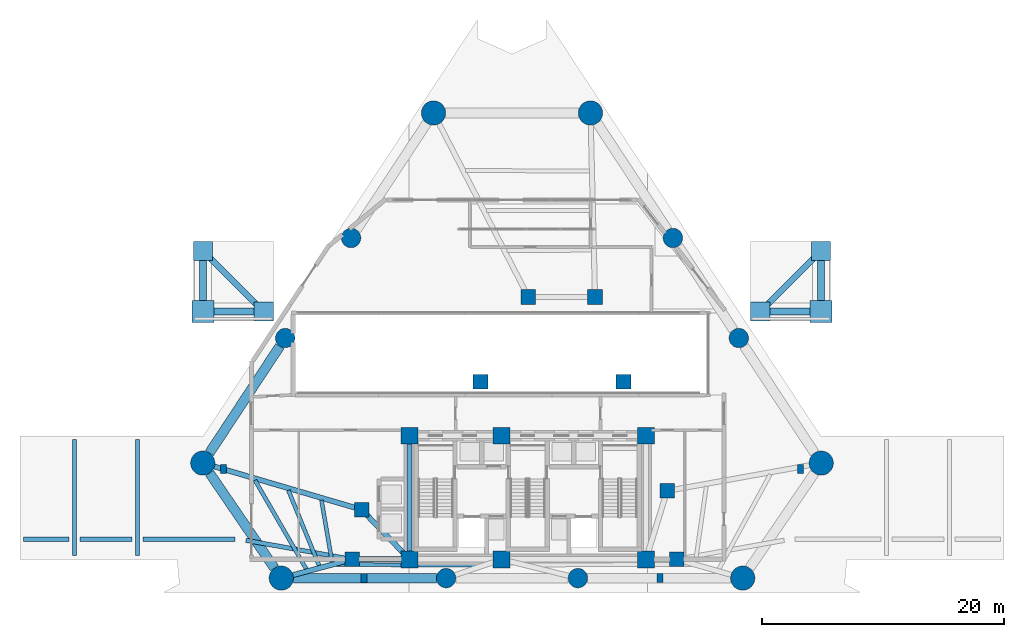
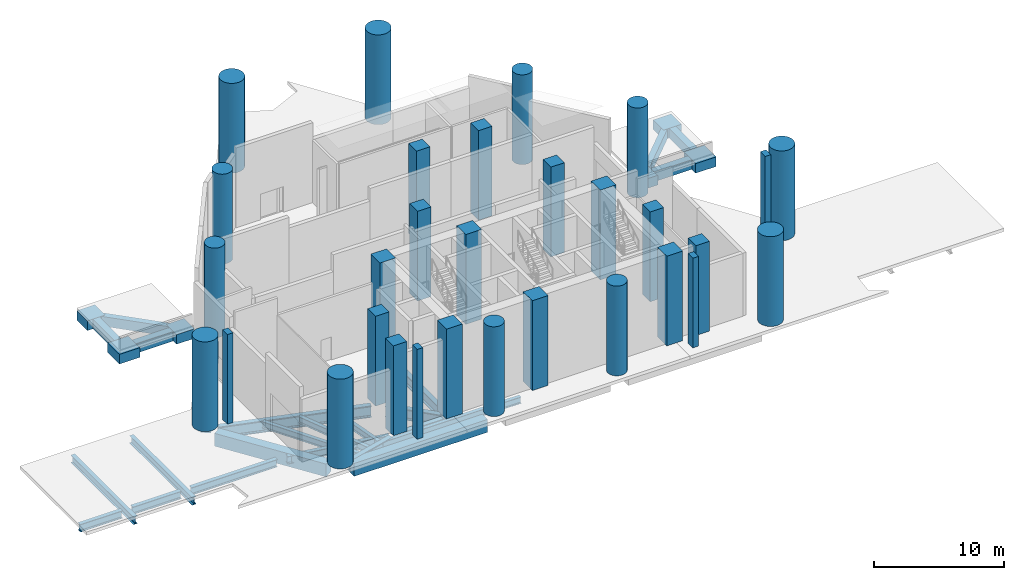
# One storey, part 1 of 12: 30 columns, 18 beams, 12 footings.
"""IFC4 building model written with IfcOpenShell, lengths in metres."""

from ifc_helpers import new_model, si_unit, direction, frame, origin, origin_2d, place, context, subcontext, project, spatial, polyline, rectangle, circle, i_section, outline, extrude, material, layer, layer_set, material_profile, profile_set, type_object, element, save


model = new_model("IFC4")

# Units and contexts
model_context = context("Model", 3, precision=1e-05, world=origin(), true_north=direction((0.0, 1.0)))
body_context = subcontext(model_context, "Body", "Model", "MODEL_VIEW")
ifc_project = project(units=[si_unit("LENGTHUNIT", "METRE"), si_unit("AREAUNIT", "SQUARE_METRE"), si_unit("VOLUMEUNIT", "CUBIC_METRE"), si_unit("PLANEANGLEUNIT", "RADIAN"), si_unit("MASSUNIT", "GRAM", prefix="KILO")], contexts=[model_context])

# Site, building, storey
site_placement = place(None, origin())
site = spatial("IfcSite", under=ifc_project, at=site_placement, CompositionType="ELEMENT")
building_placement = place(site_placement, origin())
building = spatial("IfcBuilding", under=site, at=building_placement, Name="Almagre Mirador Tower", CompositionType="ELEMENT")
storey_placement = place(building_placement, origin())
storey = spatial("IfcBuildingStorey", under=building, at=storey_placement, Name="L00", CompositionType="ELEMENT", Elevation=0.0)

# Footings
ifc_material_1 = material(Name="Concrete C50/60", Category="concrete")
footing_type_1 = type_object("IfcFootingType", Name="FTG-BEAM-500X800", PredefinedType="FOOTING_BEAM", material=ifc_material_1)
footing_1_placement = place(storey_placement, frame((0.0, 0.0, -1.10009765625)))
element("IfcFooting", 1, at=footing_1_placement, inside=storey, type_object=footing_type_1, Name="Plaza forecourt ground beam NW-3", PredefinedType="FOOTING_BEAM", context=body_context, shape_type="SweptSolid", body=[
    extrude(outline(polyline([(14.757568359375, 25.388916015625), (10.888916015625, 29.257568359375), (11.242431640625, 29.611083984375), (15.111083984375, 25.742431640625), (14.757568359375, 25.388916015625)])), origin(), (0.0, 0.0, 1.0), 0.900146484375),
])
footing_2_placement = place(storey_placement, frame((0.0, 0.0, -1.10009765625)))
element("IfcFooting", 2, at=footing_2_placement, inside=storey, type_object=footing_type_1, Name="Plaza forecourt ground beam NE-3", PredefinedType="FOOTING_BEAM", context=body_context, shape_type="SweptSolid", body=[
    extrude(outline(polyline([(56.888916015625, 25.742431640625), (60.757568359375, 29.611083984375), (61.111083984375, 29.257568359375), (57.242431640625, 25.388916015625), (56.888916015625, 25.742431640625)])), origin(), (0.0, 0.0, 1.0), 0.900146484375),
])
ifc_material_2 = material(Name="Concrete C50/60", Category="concrete")
footing_type_2 = type_object("IfcFootingType", Name="FTG-BEAM-600X900", PredefinedType="FOOTING_BEAM", material=ifc_material_2)
footing_3_placement = place(storey_placement, frame((0.0, 0.0, -1.10009765625)))
element("IfcFooting", 3, at=footing_3_placement, inside=storey, type_object=footing_type_2, Name="Plaza forecourt ground beam NW-1", PredefinedType="FOOTING_BEAM", context=body_context, shape_type="SweptSolid", body=[
    extrude(outline(polyline([(11.39990234375, 25.300048828125), (14.699951171875, 25.300048828125), (14.699951171875, 24.699951171875), (11.39990234375, 24.699951171875), (11.39990234375, 25.300048828125)])), origin(), (0.0, 0.0, 1.0), 0.900146484375),
])
footing_4_placement = place(storey_placement, frame((0.0, 0.0, -1.10009765625)))
element("IfcFooting", 4, at=footing_4_placement, inside=storey, type_object=footing_type_2, Name="Plaza forecourt ground beam NW-2", PredefinedType="FOOTING_BEAM", context=body_context, shape_type="SweptSolid", body=[
    extrude(outline(polyline([(10.199951171875, 25.89990234375), (10.199951171875, 29.199951171875), (10.800048828125, 29.199951171875), (10.800048828125, 25.89990234375), (10.199951171875, 25.89990234375)])), origin(), (0.0, 0.0, 1.0), 0.900146484375),
])
footing_5_placement = place(storey_placement, frame((0.0, 0.0, -1.10009765625)))
element("IfcFooting", 5, at=footing_5_placement, inside=storey, type_object=footing_type_2, Name="Plaza forecourt ground beam NE-1", PredefinedType="FOOTING_BEAM", context=body_context, shape_type="SweptSolid", body=[
    extrude(outline(polyline([(60.60009765625, 24.699951171875), (57.300048828125, 24.699951171875), (57.300048828125, 25.300048828125), (60.60009765625, 25.300048828125), (60.60009765625, 24.699951171875)])), origin(), (0.0, 0.0, 1.0), 0.900146484375),
])
footing_6_placement = place(storey_placement, frame((0.0, 0.0, -1.10009765625)))
element("IfcFooting", 6, at=footing_6_placement, inside=storey, type_object=footing_type_2, Name="Plaza forecourt ground beam NE-2", PredefinedType="FOOTING_BEAM", context=body_context, shape_type="SweptSolid", body=[
    extrude(outline(polyline([(61.199951171875, 25.89990234375), (61.199951171875, 29.199951171875), (61.800048828125, 29.199951171875), (61.800048828125, 25.89990234375), (61.199951171875, 25.89990234375)])), origin(), (0.0, 0.0, 1.0), 0.900146484375),
])
ifc_material_3 = material(Name="Concrete C50/60", Category="concrete")
ifc_layer_1 = layer(ifc_material_3, 0.89990234375)
ifc_layer_set_1 = layer_set([ifc_layer_1], Name="Concrete C50/60")
footing_type_3 = type_object("IfcFootingType", Name="FTG-PAD-1600", PredefinedType="PILE_CAP", material=ifc_layer_set_1)
footing_7_placement = place(storey_placement, frame((0.0, 0.0, -1.10009765625)))
element("IfcFooting", 7, at=footing_7_placement, inside=storey, type_object=footing_type_3, Name="Plaza forecourt pad footing NW-2", PredefinedType="PILE_CAP", context=body_context, shape_type="SweptSolid", body=[
    extrude(outline(polyline([(14.699951171875, 24.199951171875), (16.300048828125, 24.199951171875), (16.300048828125, 25.800048828125), (14.699951171875, 25.800048828125), (14.699951171875, 24.199951171875)])), origin(), (0.0, 0.0, 1.0), 0.900146484375),
])
footing_8_placement = place(storey_placement, frame((0.0, 0.0, -1.10009765625)))
element("IfcFooting", 8, at=footing_8_placement, inside=storey, type_object=footing_type_3, Name="Plaza forecourt pad footing NW-3", PredefinedType="PILE_CAP", context=body_context, shape_type="SweptSolid", body=[
    extrude(outline(polyline([(9.699951171875, 29.199951171875), (11.300048828125, 29.199951171875), (11.300048828125, 30.800048828125), (9.699951171875, 30.800048828125), (9.699951171875, 29.199951171875)])), origin(), (0.0, 0.0, 1.0), 0.900146484375),
])
footing_9_placement = place(storey_placement, frame((0.0, 0.0, -1.10009765625)))
element("IfcFooting", 9, at=footing_9_placement, inside=storey, type_object=footing_type_3, Name="Plaza forecourt pad footing NE-2", PredefinedType="PILE_CAP", context=body_context, shape_type="SweptSolid", body=[
    extrude(outline(polyline([(55.699951171875, 24.199951171875), (57.300048828125, 24.199951171875), (57.300048828125, 25.800048828125), (55.699951171875, 25.800048828125), (55.699951171875, 24.199951171875)])), origin(), (0.0, 0.0, 1.0), 0.900146484375),
])
footing_10_placement = place(storey_placement, frame((0.0, 0.0, -1.10009765625)))
element("IfcFooting", 10, at=footing_10_placement, inside=storey, type_object=footing_type_3, Name="Plaza forecourt pad footing NE-3", PredefinedType="PILE_CAP", context=body_context, shape_type="SweptSolid", body=[
    extrude(outline(polyline([(60.699951171875, 29.199951171875), (62.300048828125, 29.199951171875), (62.300048828125, 30.800048828125), (60.699951171875, 30.800048828125), (60.699951171875, 29.199951171875)])), origin(), (0.0, 0.0, 1.0), 0.900146484375),
])
ifc_material_4 = material(Name="Concrete C50/60", Category="concrete")
ifc_layer_2 = layer(ifc_material_4, 0.89990234375)
ifc_layer_set_2 = layer_set([ifc_layer_2], Name="Concrete C50/60")
footing_type_4 = type_object("IfcFootingType", Name="FTG-PAD-1800", PredefinedType="PILE_CAP", material=ifc_layer_set_2)
footing_11_placement = place(storey_placement, frame((0.0, 0.0, -1.10009765625)))
element("IfcFooting", 11, at=footing_11_placement, inside=storey, type_object=footing_type_4, Name="Plaza forecourt pad footing NW-1", PredefinedType="PILE_CAP", context=body_context, shape_type="SweptSolid", body=[
    extrude(outline(polyline([(9.60009765625, 24.10009765625), (11.39990234375, 24.10009765625), (11.39990234375, 25.89990234375), (9.60009765625, 25.89990234375), (9.60009765625, 24.10009765625)])), origin(), (0.0, 0.0, 1.0), 0.900146484375),
])
footing_12_placement = place(storey_placement, frame((0.0, 0.0, -1.10009765625)))
element("IfcFooting", 12, at=footing_12_placement, inside=storey, type_object=footing_type_4, Name="Plaza forecourt pad footing NE-1", PredefinedType="PILE_CAP", context=body_context, shape_type="SweptSolid", body=[
    extrude(outline(polyline([(60.60009765625, 24.10009765625), (62.39990234375, 24.10009765625), (62.39990234375, 25.89990234375), (60.60009765625, 25.89990234375), (60.60009765625, 24.10009765625)])), origin(), (0.0, 0.0, 1.0), 0.900146484375),
])

# Columns
ifc_material_5 = material(Name="Precast concrete C50/60", Category="concrete")
ifc_material_profile_1 = material_profile(ifc_material_5, rectangle(XDim=0.5, YDim=0.75, at=origin_2d()), Name="RC500X750")
ifc_profile_set_1 = profile_set([ifc_material_profile_1], Name="Precast concrete C50/60")
column_type_1 = type_object("IfcColumnType", Name="COL-PIL-500X750", PredefinedType="PILASTER", material=ifc_profile_set_1)
for number, where, z_axis, x_axis, name in (
    (13, (23.800048828125, 3.0, 0.0), (0.0, 0.0, 1.0), (1.0, 0.0, 0.0), "L00 expressed frame pilaster 01"),
    (14, (48.199951171875, 3.0, 0.0), (0.0, 0.0, 1.0), (1.0, 0.0, 0.0), "L00 expressed frame pilaster 02"),
    (15, (12.199951171875, 12.0, 0.0), (0.0, 0.0, 1.0), (1.0, 0.0, 0.0), "L00 expressed frame pilaster 03"),
    (16, (59.800048828125, 12.0, 0.0), (0.0, 0.0, 1.0), (1.0, 0.0, 0.0), "L00 expressed frame pilaster 04"),
):
    element("IfcColumn", number, at=place(storey_placement, frame(where, z_axis=z_axis, x_axis=x_axis)), inside=storey, type_object=column_type_1, Name=name, PredefinedType="PILASTER", context=body_context, shape_type="SweptSolid", body=[
        extrude(rectangle(XDim=0.5, YDim=0.75, at=origin_2d()), origin(), (0.0, 0.0, 1.0), 8.39990234375),
    ])
ifc_material_6 = material(Name="Concrete C60/75", Category="concrete")
ifc_material_profile_2 = material_profile(ifc_material_6, rectangle(XDim=1.199951171875, YDim=1.199951171875, at=origin_2d()), Name="RC1200X1200")
ifc_profile_set_2 = profile_set([ifc_material_profile_2], Name="Concrete C60/75")
column_type_2 = type_object("IfcColumnType", Name="COL-RC1200", PredefinedType="COLUMN", material=ifc_profile_set_2)
for number, where, z_axis, x_axis, name in (
    (17, (22.800048828125, 4.550048828125, 0.0), (0.0, 0.0, 1.0), (1.0, 0.0, 0.0), "L00 interior transfer column MC1"),
    (18, (49.60009765625, 4.550048828125, 0.0), (0.0, 0.0, 1.0), (1.0, 0.0, 0.0), "L00 interior transfer column MC2"),
    (19, (48.800048828125, 10.199951171875, 0.0), (0.0, 0.0, 1.0), (1.0, 0.0, 0.0), "L00 interior transfer column MC3"),
    (20, (45.199951171875, 19.199951171875, 0.0), (0.0, 0.0, 1.0), (1.0, 0.0, 0.0), "L00 interior transfer column MC5"),
    (21, (42.85009765625, 26.199951171875, 0.0), (0.0, 0.0, 1.0), (1.0, 0.0, 0.0), "L00 interior transfer column MC6"),
    (22, (37.35009765625, 26.199951171875, 0.0), (0.0, 0.0, 1.0), (1.0, 0.0, 0.0), "L00 interior transfer column MC7"),
    (23, (33.39990234375, 19.199951171875, 0.0), (0.0, 0.0, 1.0), (1.0, 0.0, 0.0), "L00 interior transfer column MC8"),
    (24, (23.60009765625, 8.64990234375, 0.0), (0.0, 0.0, 1.0), (1.0, 0.0, 0.0), "L00 interior transfer column MC10"),
):
    element("IfcColumn", number, at=place(storey_placement, frame(where, z_axis=z_axis, x_axis=x_axis)), inside=storey, type_object=column_type_2, Name=name, PredefinedType="COLUMN", context=body_context, shape_type="SweptSolid", body=[
        extrude(rectangle(XDim=1.199951171875, YDim=1.199951171875, at=origin_2d()), origin(), (0.0, 0.0, 1.0), 8.39990234375),
    ])
ifc_material_7 = material(Name="Concrete C60/75", Category="concrete")
ifc_material_profile_3 = material_profile(ifc_material_7, rectangle(XDim=1.39990234375, YDim=1.39990234375, at=origin_2d()), Name="RC1400X1400")
ifc_profile_set_3 = profile_set([ifc_material_profile_3], Name="Concrete C60/75")
column_type_3 = type_object("IfcColumnType", Name="COL-RC1400", PredefinedType="COLUMN", material=ifc_profile_set_3)
for number, where, z_axis, x_axis, name in (
    (25, (27.550048828125, 4.550048828125, 0.0), (0.0, 0.0, 1.0), (1.0, 0.0, 0.0), "L00 core spine column CC1"),
    (26, (35.14990234375, 4.550048828125, 0.0), (0.0, 0.0, 1.0), (1.0, 0.0, 0.0), "L00 core spine column CC2"),
    (27, (47.050048828125, 4.550048828125, 0.0), (0.0, 0.0, 1.0), (1.0, 0.0, 0.0), "L00 core spine column CC3"),
    (28, (27.550048828125, 14.75, 0.0), (0.0, 0.0, 1.0), (1.0, 0.0, 0.0), "L00 core spine column CC4"),
    (29, (35.14990234375, 14.75, 0.0), (0.0, 0.0, 1.0), (1.0, 0.0, 0.0), "L00 core spine column CC5"),
    (30, (47.050048828125, 14.75, 0.0), (0.0, 0.0, 1.0), (1.0, 0.0, 0.0), "L00 core spine column CC6"),
):
    element("IfcColumn", number, at=place(storey_placement, frame(where, z_axis=z_axis, x_axis=x_axis)), inside=storey, type_object=column_type_3, Name=name, PredefinedType="COLUMN", context=body_context, shape_type="SweptSolid", body=[
        extrude(rectangle(XDim=1.39990234375, YDim=1.39990234375, at=origin_2d()), origin(), (0.0, 0.0, 1.0), 8.39990234375),
    ])
ifc_material_8 = material(Name="Concrete C70/85", Category="concrete")
ifc_material_profile_4 = material_profile(ifc_material_8, circle(Radius=0.800048828125, at=origin_2d()), Name="RC1600D")
ifc_profile_set_4 = profile_set([ifc_material_profile_4], Name="Concrete C70/85")
column_type_4 = type_object("IfcColumnType", Name="COL-RC1600D", PredefinedType="COLUMN", material=ifc_profile_set_4)
for number, where, z_axis, x_axis, name in (
    (31, (30.56005859375, 3.0, 0.0), (0.0, 0.0, 1.0), (1.0, 0.0, 0.0), "L00 open stilt column PC02"),
    (32, (41.43994140625, 3.0, 0.0), (0.0, 0.0, 1.0), (1.0, 0.0, 0.0), "L00 open stilt column PC03"),
    (33, (54.718017578125, 22.81201171875, 0.0), (0.0, 0.0, 1.0), (1.0, 0.0, 0.0), "L00 open stilt column PC06"),
    (34, (49.278076171875, 31.068115234375, 0.0), (0.0, 0.0, 1.0), (1.0, 0.0, 0.0), "L00 open stilt column PC07"),
    (35, (22.721923828125, 31.068115234375, 0.0), (0.0, 0.0, 1.0), (1.0, 0.0, 0.0), "L00 open stilt column PC10"),
    (36, (17.281982421875, 22.81201171875, 0.0), (0.0, 0.0, 1.0), (1.0, 0.0, 0.0), "L00 open stilt column PC11"),
):
    element("IfcColumn", number, at=place(storey_placement, frame(where, z_axis=z_axis, x_axis=x_axis)), inside=storey, type_object=column_type_4, Name=name, PredefinedType="COLUMN", context=body_context, shape_type="SweptSolid", body=[
        extrude(circle(Radius=0.800048828125, at=origin_2d()), origin(), (0.0, 0.0, 1.0), 8.39990234375),
    ])
ifc_material_9 = material(Name="Concrete C70/85", Category="concrete")
ifc_material_profile_5 = material_profile(ifc_material_9, circle(Radius=1.0, at=origin_2d()), Name="RC2000D")
ifc_profile_set_5 = profile_set([ifc_material_profile_5], Name="Concrete C70/85")
column_type_5 = type_object("IfcColumnType", Name="COL-RC2000D", PredefinedType="COLUMN", material=ifc_profile_set_5)
for number, where, z_axis, x_axis, name in (
    (37, (16.9599609375, 3.0, 0.0), (0.0, 0.0, 1.0), (1.0, 0.0, 0.0), "L00 open stilt column PC01"),
    (38, (55.0400390625, 3.0, 0.0), (0.0, 0.0, 1.0), (1.0, 0.0, 0.0), "L00 open stilt column PC04"),
    (39, (61.51806640625, 12.491943359375, 0.0), (0.0, 0.0, 1.0), (1.0, 0.0, 0.0), "L00 open stilt column PC05"),
    (40, (42.47802734375, 41.387939453125, 0.0), (0.0, 0.0, 1.0), (1.0, 0.0, 0.0), "L00 open stilt column PC08"),
    (41, (29.52197265625, 41.387939453125, 0.0), (0.0, 0.0, 1.0), (1.0, 0.0, 0.0), "L00 open stilt column PC09"),
    (42, (10.48193359375, 12.491943359375, 0.0), (0.0, 0.0, 1.0), (1.0, 0.0, 0.0), "L00 open stilt column PC12"),
):
    element("IfcColumn", number, at=place(storey_placement, frame(where, z_axis=z_axis, x_axis=x_axis)), inside=storey, type_object=column_type_5, Name=name, PredefinedType="COLUMN", context=body_context, shape_type="SweptSolid", body=[
        extrude(circle(Radius=1.0, at=origin_2d()), origin(), (0.0, 0.0, 1.0), 8.39990234375),
    ])

# Beams
ifc_material_10 = material(Name="Steel ASTM A992 Grade 50", Category="steel")
ifc_material_profile_6 = material_profile(ifc_material_10, i_section(OverallWidth=0.323974609375, OverallDepth=0.611083984375, WebThickness=0.0126953125, FlangeThickness=0.01904296875, FilletRadius=0.02001953125, at=origin_2d()), Name="W24X104")
ifc_profile_set_6 = profile_set([ifc_material_profile_6], Name="Steel ASTM A992 Grade 50")
beam_type_1 = type_object("IfcBeamType", Name="BM-JST-W24X104", PredefinedType="JOIST", material=ifc_profile_set_6)
beam_1_placement = place(storey_placement, frame((21.401611328125, 4.12158203125, -0.60546875), z_axis=(0.999990956833, -0.004252793403, 0.0), x_axis=(0.004252793403, 0.999990956833, 0.0)))
element("IfcBeam", 43, at=beam_1_placement, inside=storey, type_object=beam_type_1, Name="L00 secondary floor joist PC01-PC02.3", PredefinedType="JOIST", context=body_context, shape_type="SweptSolid", body=[
    extrude(i_section(OverallWidth=0.323974609375, OverallDepth=0.611083984375, WebThickness=0.0126953125, FlangeThickness=0.01904296875, FilletRadius=0.02001953125, at=origin_2d()), origin(), (0.0, 0.0, 1.0), 12.11279296875),
])
beam_2_placement = place(storey_placement, frame((14.791015625, 11.077392578125, -0.60546875), z_axis=(0.500570588924, -0.865695723395, 0.0), x_axis=(0.865695723395, 0.500570588924, 0.0)))
element("IfcBeam", 44, at=beam_2_placement, inside=storey, type_object=beam_type_1, Name="L00 secondary floor joist PC12-PC01.1", PredefinedType="JOIST", context=body_context, shape_type="SweptSolid", body=[
    extrude(i_section(OverallWidth=0.323974609375, OverallDepth=0.611083984375, WebThickness=0.0126953125, FlangeThickness=0.01904296875, FilletRadius=0.02001953125, at=origin_2d()), origin(), (0.0, 0.0, 1.0), 8.45361328125),
])
beam_3_placement = place(storey_placement, frame((17.544921875, 10.25048828125, -0.60546875), z_axis=(0.378088150656, -0.925769598947, 0.0), x_axis=(0.925769598947, 0.378088150656, 0.0)))
element("IfcBeam", 45, at=beam_3_placement, inside=storey, type_object=beam_type_1, Name="L00 secondary floor joist PC12-PC01.2", PredefinedType="JOIST", context=body_context, shape_type="SweptSolid", body=[
    extrude(i_section(OverallWidth=0.323974609375, OverallDepth=0.611083984375, WebThickness=0.0126953125, FlangeThickness=0.01904296875, FilletRadius=0.02001953125, at=origin_2d()), origin(), (0.0, 0.0, 1.0), 6.70263671875),
])
beam_4_placement = place(storey_placement, frame((20.2802734375, 9.423828125, -0.60546875), z_axis=(0.169071360665, -0.985603812393, 0.0), x_axis=(0.985603812393, 0.169071360665, 0.0)))
element("IfcBeam", 46, at=beam_4_placement, inside=storey, type_object=beam_type_1, Name="L00 secondary floor joist PC12-PC01.3", PredefinedType="JOIST", context=body_context, shape_type="SweptSolid", body=[
    extrude(i_section(OverallWidth=0.323974609375, OverallDepth=0.611083984375, WebThickness=0.0126953125, FlangeThickness=0.01904296875, FilletRadius=0.02001953125, at=origin_2d()), origin(), (0.0, 0.0, 1.0), 5.166748046875),
])
ifc_material_11 = material(Name="Precast concrete C50/60", Category="concrete")
ifc_material_profile_7 = material_profile(ifc_material_11, rectangle(XDim=0.800048828125, YDim=1.199951171875, at=origin_2d()), Name="RC800X1200")
ifc_profile_set_7 = profile_set([ifc_material_profile_7], Name="Precast concrete C50/60")
beam_type_2 = type_object("IfcBeamType", Name="BM-SPN-RC800X1200", PredefinedType="SPANDREL", material=ifc_profile_set_7)
beam_5_placement = place(storey_placement, frame((17.9599609375, 3.0, -0.89990234375), z_axis=(1.0, 0.0, 0.0), x_axis=(0.0, 1.0, 0.0)))
element("IfcBeam", 47, at=beam_5_placement, inside=storey, type_object=beam_type_2, Name="L00 perimeter spandrel beam PC01-PC02", PredefinedType="SPANDREL", context=body_context, shape_type="SweptSolid", body=[
    extrude(rectangle(XDim=0.800048828125, YDim=1.199951171875, at=origin_2d()), origin(), (0.0, 0.0, 1.0), 11.800048828125),
])
beam_6_placement = place(storey_placement, frame((16.841796875, 22.14404296875, -0.89990234375), z_axis=(-0.550199423007, -0.835033289709, 0.0), x_axis=(0.835033289709, -0.550199423007, 0.0)))
element("IfcBeam", 48, at=beam_6_placement, inside=storey, type_object=beam_type_2, Name="L00 perimeter spandrel beam PC11-PC12", PredefinedType="SPANDREL", context=body_context, shape_type="SweptSolid", body=[
    extrude(rectangle(XDim=0.800048828125, YDim=1.199951171875, at=origin_2d()), origin(), (0.0, 0.0, 1.0), 10.55908203125),
])
beam_7_placement = place(storey_placement, frame((11.045654296875, 11.666015625, -0.89990234375), z_axis=(0.563701507362, -0.825978577566, 0.0), x_axis=(0.825978577566, 0.563701507362, 0.0)))
element("IfcBeam", 49, at=beam_7_placement, inside=storey, type_object=beam_type_2, Name="L00 perimeter spandrel beam PC12-PC01", PredefinedType="SPANDREL", context=body_context, shape_type="SweptSolid", body=[
    extrude(rectangle(XDim=0.800048828125, YDim=1.199951171875, at=origin_2d()), origin(), (0.0, 0.0, 1.0), 9.491943359375),
])
ifc_material_12 = material(Name="Steel ASTM A992 Grade 50", Category="steel")
ifc_material_profile_8 = material_profile(ifc_material_12, i_section(OverallWidth=0.35791015625, OverallDepth=0.7060546875, WebThickness=0.018310546875, FlangeThickness=0.0302734375, FilletRadius=0.02197265625, at=origin_2d()), Name="W27X178")
ifc_profile_set_8 = profile_set([ifc_material_profile_8], Name="Steel ASTM A992 Grade 50")
beam_type_3 = type_object("IfcBeamType", Name="BM-STL-W27X178", PredefinedType="BEAM", material=ifc_profile_set_8)
beam_8_placement = place(storey_placement, frame((-4.300048828125, 6.199951171875, -0.653076171875), z_axis=(1.0, 0.0, 0.0), x_axis=(0.0, 1.0, 0.0)))
element("IfcBeam", 50, at=beam_8_placement, inside=storey, type_object=beam_type_3, Name="L00 substructure wing girder BW-W1", PredefinedType="BEAM", context=body_context, shape_type="SweptSolid", body=[
    extrude(i_section(OverallWidth=0.35791015625, OverallDepth=0.7060546875, WebThickness=0.018310546875, FlangeThickness=0.0302734375, FilletRadius=0.02197265625, at=origin_2d()), origin(), (0.0, 0.0, 1.0), 3.75),
])
beam_9_placement = place(storey_placement, frame((0.35009765625, 6.199951171875, -0.653076171875), z_axis=(1.0, 0.0, 0.0), x_axis=(0.0, 1.0, 0.0)))
element("IfcBeam", 51, at=beam_9_placement, inside=storey, type_object=beam_type_3, Name="L00 substructure wing girder BW-W2", PredefinedType="BEAM", context=body_context, shape_type="SweptSolid", body=[
    extrude(i_section(OverallWidth=0.35791015625, OverallDepth=0.7060546875, WebThickness=0.018310546875, FlangeThickness=0.0302734375, FilletRadius=0.02197265625, at=origin_2d()), origin(), (0.0, 0.0, 1.0), 4.2998046875),
])
beam_10_placement = place(storey_placement, frame((5.550048828125, 6.199951171875, -0.653076171875), z_axis=(1.0, 0.0, 0.0), x_axis=(0.0, 1.0, 0.0)))
element("IfcBeam", 52, at=beam_10_placement, inside=storey, type_object=beam_type_3, Name="L00 substructure wing girder BW-W3", PredefinedType="BEAM", context=body_context, shape_type="SweptSolid", body=[
    extrude(i_section(OverallWidth=0.35791015625, OverallDepth=0.7060546875, WebThickness=0.018310546875, FlangeThickness=0.0302734375, FilletRadius=0.02197265625, at=origin_2d()), origin(), (0.0, 0.0, 1.0), 7.599853515625),
])
beam_11_placement = place(storey_placement, frame((14.04296875, 6.12060546875, -0.653076171875), z_axis=(0.984295993764, -0.176525909315, 0.0), x_axis=(0.176525909315, 0.984295993764, 0.0)))
element("IfcBeam", 53, at=beam_11_placement, inside=storey, type_object=beam_type_3, Name="L00 substructure wing girder BW-W4", PredefinedType="BEAM", context=body_context, shape_type="SweptSolid", body=[
    extrude(i_section(OverallWidth=0.35791015625, OverallDepth=0.7060546875, WebThickness=0.018310546875, FlangeThickness=0.0302734375, FilletRadius=0.02197265625, at=origin_2d()), origin(), (0.0, 0.0, 1.0), 8.296875),
])
for number, where, z_axis, x_axis, name in (
    (54, (-0.10009765625, 4.85009765625, -0.653076171875), (0.0, 1.0, 0.0), (-1.0, 0.0, 0.0), "L00 substructure wing girder BW-WN1"),
    (55, (5.10009765625, 4.85009765625, -0.653076171875), (0.0, 1.0, 0.0), (-1.0, 0.0, 0.0), "L00 substructure wing girder BW-WN2"),
):
    element("IfcBeam", number, at=place(storey_placement, frame(where, z_axis=z_axis, x_axis=x_axis)), inside=storey, type_object=beam_type_3, Name=name, PredefinedType="BEAM", context=body_context, shape_type="SweptSolid", body=[
        extrude(i_section(OverallWidth=0.35791015625, OverallDepth=0.7060546875, WebThickness=0.018310546875, FlangeThickness=0.0302734375, FilletRadius=0.02197265625, at=origin_2d()), origin(), (0.0, 0.0, 1.0), 9.599853515625),
    ])
ifc_material_13 = material(Name="Steel ASTM A992 Grade 50", Category="steel")
ifc_material_profile_9 = material_profile(ifc_material_13, i_section(OverallWidth=0.43701171875, OverallDepth=1.010986328125, WebThickness=0.041015625, FlangeThickness=0.073974609375, FilletRadius=0.028076171875, at=origin_2d()), Name="W36X529")
ifc_profile_set_9 = profile_set([ifc_material_profile_9], Name="Steel ASTM A992 Grade 50")
beam_type_4 = type_object("IfcBeamType", Name="BM-STL-W36X529", PredefinedType="BEAM", material=ifc_profile_set_9)
beam_12_placement = place(storey_placement, frame((27.550048828125, 5.25, -0.805419921875), z_axis=(0.0, 1.0, 0.0), x_axis=(-1.0, 0.0, 0.0)))
element("IfcBeam", 56, at=beam_12_placement, inside=storey, type_object=beam_type_4, Name="L00 core tie girder CC1-CC4", PredefinedType="BEAM", context=body_context, shape_type="SweptSolid", body=[
    extrude(i_section(OverallWidth=0.43701171875, OverallDepth=1.010986328125, WebThickness=0.041015625, FlangeThickness=0.073974609375, FilletRadius=0.028076171875, at=origin_2d()), origin(), (0.0, 0.0, 1.0), 8.800048828125),
])
beam_13_placement = place(storey_placement, frame((23.39990234375, 4.550048828125, -0.805419921875), z_axis=(1.0, 0.0, 0.0), x_axis=(0.0, 1.0, 0.0)))
element("IfcBeam", 57, at=beam_13_placement, inside=storey, type_object=beam_type_4, Name="L00 core tie girder MC1-CC1", PredefinedType="BEAM", context=body_context, shape_type="SweptSolid", body=[
    extrude(i_section(OverallWidth=0.43701171875, OverallDepth=1.010986328125, WebThickness=0.041015625, FlangeThickness=0.073974609375, FilletRadius=0.028076171875, at=origin_2d()), origin(), (0.0, 0.0, 1.0), 3.4501953125),
])
beam_14_placement = place(storey_placement, frame((24.016357421875, 8.218017578125, -0.805419921875), z_axis=(0.693784781157, -0.720182391783, 0.0), x_axis=(0.720182391783, 0.693784781157, 0.0)))
element("IfcBeam", 58, at=beam_14_placement, inside=storey, type_object=beam_type_4, Name="L00 core tie girder MC10-CC1", PredefinedType="BEAM", context=body_context, shape_type="SweptSolid", body=[
    extrude(i_section(OverallWidth=0.43701171875, OverallDepth=1.010986328125, WebThickness=0.041015625, FlangeThickness=0.073974609375, FilletRadius=0.028076171875, at=origin_2d()), origin(), (0.0, 0.0, 1.0), 4.39306640625),
])
ifc_material_14 = material(Name="Steel ASTM A913 Grade 65", Category="steel")
ifc_material_profile_10 = material_profile(ifc_material_14, i_section(OverallWidth=0.424072265625, OverallDepth=1.092041015625, WebThickness=0.04541015625, FlangeThickness=0.08203125, FilletRadius=0.030029296875, at=origin_2d()), Name="W40X593")
ifc_profile_set_10 = profile_set([ifc_material_profile_10], Name="Steel ASTM A913 Grade 65")
beam_type_5 = type_object("IfcBeamType", Name="BM-STL-W40X593", PredefinedType="BEAM", material=ifc_profile_set_10)
beam_15_placement = place(storey_placement, frame((17.926513671875, 3.256591796875, -0.845947265625), z_axis=(0.966547100436, 0.256489186202, 0.0), x_axis=(-0.256489186202, 0.966547100436, 0.0)))
element("IfcBeam", 59, at=beam_15_placement, inside=storey, type_object=beam_type_5, Name="L00 radial floor girder PC01-MC1", PredefinedType="BEAM", context=body_context, shape_type="SweptSolid", body=[
    extrude(i_section(OverallWidth=0.424072265625, OverallDepth=1.092041015625, WebThickness=0.04541015625, FlangeThickness=0.08203125, FilletRadius=0.030029296875, at=origin_2d()), origin(), (0.0, 0.0, 1.0), 4.4423828125),
])
beam_16_placement = place(storey_placement, frame((11.441650390625, 12.2109375, -0.845947265625), z_axis=(0.959685383652, -0.281076438722, 0.0), x_axis=(0.281076438722, 0.959685383652, 0.0)))
element("IfcBeam", 60, at=beam_16_placement, inside=storey, type_object=beam_type_5, Name="L00 radial floor girder PC12-MC10", PredefinedType="BEAM", context=body_context, shape_type="SweptSolid", body=[
    extrude(i_section(OverallWidth=0.424072265625, OverallDepth=1.092041015625, WebThickness=0.04541015625, FlangeThickness=0.08203125, FilletRadius=0.030029296875, at=origin_2d()), origin(), (0.0, 0.0, 1.0), 12.069091796875),
])

save(model, "model.ifc")
